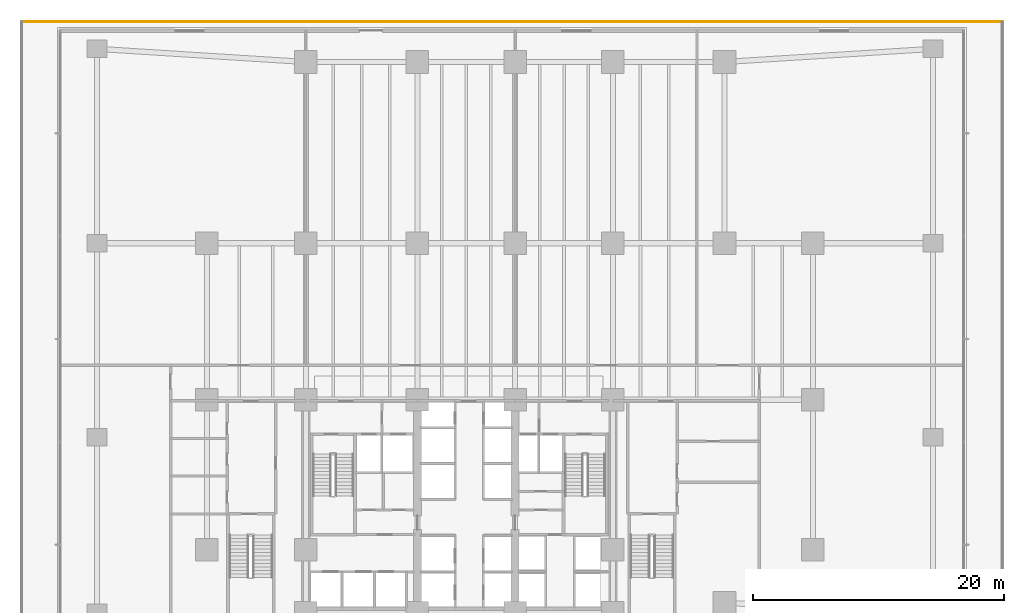
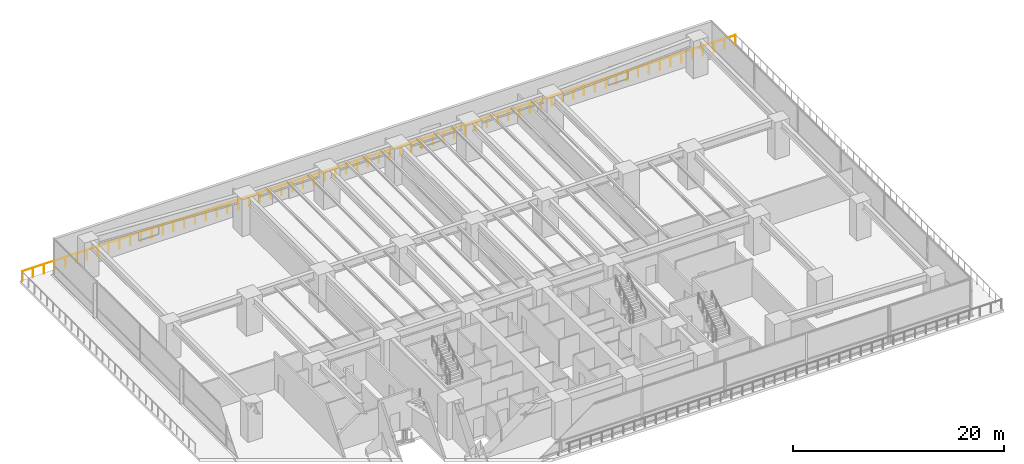
# One storey, part 25 of 28: 1 railing.
"""IFC4 building model written with IfcOpenShell, lengths in metres."""

from ifc_helpers import new_model, si_unit, direction, frame, origin, origin_2d, place, context, subcontext, project, spatial, circle, extrude, material, type_object, element, save


model = new_model("IFC4")

# Units and contexts
model_context = context("Model", 3, precision=1e-05, world=origin(), true_north=direction((0.0, 1.0)))
body_context = subcontext(model_context, "Body", "Model", "MODEL_VIEW")
ifc_project = project(units=[si_unit("LENGTHUNIT", "METRE"), si_unit("AREAUNIT", "SQUARE_METRE"), si_unit("VOLUMEUNIT", "CUBIC_METRE"), si_unit("PLANEANGLEUNIT", "RADIAN"), si_unit("MASSUNIT", "GRAM", prefix="KILO")], contexts=[model_context])

# Site, building, storey
site_placement = place(None, origin())
site = spatial("IfcSite", under=ifc_project, at=site_placement, CompositionType="ELEMENT")
building_placement = place(site_placement, origin())
building = spatial("IfcBuilding", under=site, at=building_placement, Name="Qalmaran Belvedere Hotel", CompositionType="ELEMENT")
storey_placement = place(building_placement, frame((0.0, 0.0, 10.0)))
storey = spatial("IfcBuildingStorey", under=building, at=storey_placement, Name="L02", CompositionType="ELEMENT", Elevation=10.0)

# Railing
ifc_material = material(Name="Anodised Bronze Aluminium", Category="aluminium")
railing_type = type_object("IfcRailingType", Name="GRD-TERR-1150", PredefinedType="BALUSTRADE", material=ifc_material)
railing_placement = place(storey_placement, frame((75.824951171875, 50.659912109375, 0.0)))
element("IfcRailing", 1, at=railing_placement, inside=storey, type_object=railing_type, Name="L02 Guardrail L02-TERR-3", PredefinedType="BALUSTRADE", context=body_context, shape_type="SweptSolid", body=[
    extrude(circle(Radius=0.02392578125, at=origin_2d()), frame((0.0, 0.0, 1.1259765625), z_axis=(-1.0, 0.0, 0.0), x_axis=(0.0, -1.0, 0.0)), (0.0, 0.0, 1.0), 78.14990234375),
    extrude(circle(Radius=0.02099609375, at=origin_2d()), origin(), (0.0, 0.0, 1.0), 1.101806640625),
    extrude(circle(Radius=0.02099609375, at=origin_2d()), frame((-1.18408203125, 0.0, 0.0)), (0.0, 0.0, 1.0), 1.101806640625),
    extrude(circle(Radius=0.02099609375, at=origin_2d()), frame((-2.3681640625, 0.0, 0.0)), (0.0, 0.0, 1.0), 1.101806640625),
    extrude(circle(Radius=0.02099609375, at=origin_2d()), frame((-3.55224609375, 0.0, 0.0)), (0.0, 0.0, 1.0), 1.101806640625),
    extrude(circle(Radius=0.02099609375, at=origin_2d()), frame((-4.736328125, 0.0, 0.0)), (0.0, 0.0, 1.0), 1.101806640625),
    extrude(circle(Radius=0.02099609375, at=origin_2d()), frame((-5.92041015625, 0.0, 0.0)), (0.0, 0.0, 1.0), 1.101806640625),
    extrude(circle(Radius=0.02099609375, at=origin_2d()), frame((-7.1044921875, 0.0, 0.0)), (0.0, 0.0, 1.0), 1.101806640625),
    extrude(circle(Radius=0.02099609375, at=origin_2d()), frame((-8.28857421875, 0.0, 0.0)), (0.0, 0.0, 1.0), 1.101806640625),
    extrude(circle(Radius=0.02099609375, at=origin_2d()), frame((-9.47265625, 0.0, 0.0)), (0.0, 0.0, 1.0), 1.101806640625),
    extrude(circle(Radius=0.02099609375, at=origin_2d()), frame((-10.65673828125, 0.0, 0.0)), (0.0, 0.0, 1.0), 1.101806640625),
    extrude(circle(Radius=0.02099609375, at=origin_2d()), frame((-11.8408203125, 0.0, 0.0)), (0.0, 0.0, 1.0), 1.101806640625),
    extrude(circle(Radius=0.02099609375, at=origin_2d()), frame((-13.02490234375, 0.0, 0.0)), (0.0, 0.0, 1.0), 1.101806640625),
    extrude(circle(Radius=0.02099609375, at=origin_2d()), frame((-14.208984375, 0.0, 0.0)), (0.0, 0.0, 1.0), 1.101806640625),
    extrude(circle(Radius=0.02099609375, at=origin_2d()), frame((-15.39306640625, 0.0, 0.0)), (0.0, 0.0, 1.0), 1.101806640625),
    extrude(circle(Radius=0.02099609375, at=origin_2d()), frame((-16.5771484375, 0.0, 0.0)), (0.0, 0.0, 1.0), 1.101806640625),
    extrude(circle(Radius=0.02099609375, at=origin_2d()), frame((-17.76123046875, 0.0, 0.0)), (0.0, 0.0, 1.0), 1.101806640625),
    extrude(circle(Radius=0.02099609375, at=origin_2d()), frame((-18.9453125, 0.0, 0.0)), (0.0, 0.0, 1.0), 1.101806640625),
    extrude(circle(Radius=0.02099609375, at=origin_2d()), frame((-20.129638671875, 0.0, 0.0)), (0.0, 0.0, 1.0), 1.101806640625),
    extrude(circle(Radius=0.02099609375, at=origin_2d()), frame((-21.313720703125, 0.0, 0.0)), (0.0, 0.0, 1.0), 1.101806640625),
    extrude(circle(Radius=0.02099609375, at=origin_2d()), frame((-22.497802734375, 0.0, 0.0)), (0.0, 0.0, 1.0), 1.101806640625),
    extrude(circle(Radius=0.02099609375, at=origin_2d()), frame((-23.681884765625, 0.0, 0.0)), (0.0, 0.0, 1.0), 1.101806640625),
    extrude(circle(Radius=0.02099609375, at=origin_2d()), frame((-24.865966796875, 0.0, 0.0)), (0.0, 0.0, 1.0), 1.101806640625),
    extrude(circle(Radius=0.02099609375, at=origin_2d()), frame((-26.050048828125, 0.0, 0.0)), (0.0, 0.0, 1.0), 1.101806640625),
    extrude(circle(Radius=0.02099609375, at=origin_2d()), frame((-27.234130859375, 0.0, 0.0)), (0.0, 0.0, 1.0), 1.101806640625),
    extrude(circle(Radius=0.02099609375, at=origin_2d()), frame((-28.418212890625, 0.0, 0.0)), (0.0, 0.0, 1.0), 1.101806640625),
    extrude(circle(Radius=0.02099609375, at=origin_2d()), frame((-29.602294921875, 0.0, 0.0)), (0.0, 0.0, 1.0), 1.101806640625),
    extrude(circle(Radius=0.02099609375, at=origin_2d()), frame((-30.786376953125, 0.0, 0.0)), (0.0, 0.0, 1.0), 1.101806640625),
    extrude(circle(Radius=0.02099609375, at=origin_2d()), frame((-31.970458984375, 0.0, 0.0)), (0.0, 0.0, 1.0), 1.101806640625),
    extrude(circle(Radius=0.02099609375, at=origin_2d()), frame((-33.154541015625, 0.0, 0.0)), (0.0, 0.0, 1.0), 1.101806640625),
    extrude(circle(Radius=0.02099609375, at=origin_2d()), frame((-34.338623046875, 0.0, 0.0)), (0.0, 0.0, 1.0), 1.101806640625),
    extrude(circle(Radius=0.02099609375, at=origin_2d()), frame((-35.522705078125, 0.0, 0.0)), (0.0, 0.0, 1.0), 1.101806640625),
    extrude(circle(Radius=0.02099609375, at=origin_2d()), frame((-36.706787109375, 0.0, 0.0)), (0.0, 0.0, 1.0), 1.101806640625),
    extrude(circle(Radius=0.02099609375, at=origin_2d()), frame((-37.890869140625, 0.0, 0.0)), (0.0, 0.0, 1.0), 1.101806640625),
    extrude(circle(Radius=0.02099609375, at=origin_2d()), frame((-39.074951171875, 0.0, 0.0)), (0.0, 0.0, 1.0), 1.101806640625),
    extrude(circle(Radius=0.02099609375, at=origin_2d()), frame((-40.259033203125, 0.0, 0.0)), (0.0, 0.0, 1.0), 1.101806640625),
    extrude(circle(Radius=0.02099609375, at=origin_2d()), frame((-41.443115234375, 0.0, 0.0)), (0.0, 0.0, 1.0), 1.101806640625),
    extrude(circle(Radius=0.02099609375, at=origin_2d()), frame((-42.627197265625, 0.0, 0.0)), (0.0, 0.0, 1.0), 1.101806640625),
    extrude(circle(Radius=0.02099609375, at=origin_2d()), frame((-43.811279296875, 0.0, 0.0)), (0.0, 0.0, 1.0), 1.101806640625),
    extrude(circle(Radius=0.02099609375, at=origin_2d()), frame((-44.995361328125, 0.0, 0.0)), (0.0, 0.0, 1.0), 1.101806640625),
    extrude(circle(Radius=0.02099609375, at=origin_2d()), frame((-46.179443359375, 0.0, 0.0)), (0.0, 0.0, 1.0), 1.101806640625),
    extrude(circle(Radius=0.02099609375, at=origin_2d()), frame((-47.363525390625, 0.0, 0.0)), (0.0, 0.0, 1.0), 1.101806640625),
    extrude(circle(Radius=0.02099609375, at=origin_2d()), frame((-48.547607421875, 0.0, 0.0)), (0.0, 0.0, 1.0), 1.101806640625),
    extrude(circle(Radius=0.02099609375, at=origin_2d()), frame((-49.731689453125, 0.0, 0.0)), (0.0, 0.0, 1.0), 1.101806640625),
    extrude(circle(Radius=0.02099609375, at=origin_2d()), frame((-50.915771484375, 0.0, 0.0)), (0.0, 0.0, 1.0), 1.101806640625),
    extrude(circle(Radius=0.02099609375, at=origin_2d()), frame((-52.099853515625, 0.0, 0.0)), (0.0, 0.0, 1.0), 1.101806640625),
    extrude(circle(Radius=0.02099609375, at=origin_2d()), frame((-53.283935546875, 0.0, 0.0)), (0.0, 0.0, 1.0), 1.101806640625),
    extrude(circle(Radius=0.02099609375, at=origin_2d()), frame((-54.468017578125, 0.0, 0.0)), (0.0, 0.0, 1.0), 1.101806640625),
    extrude(circle(Radius=0.02099609375, at=origin_2d()), frame((-55.652099609375, 0.0, 0.0)), (0.0, 0.0, 1.0), 1.101806640625),
    extrude(circle(Radius=0.02099609375, at=origin_2d()), frame((-56.836181640625, 0.0, 0.0)), (0.0, 0.0, 1.0), 1.101806640625),
    extrude(circle(Radius=0.02099609375, at=origin_2d()), frame((-58.020263671875, 0.0, 0.0)), (0.0, 0.0, 1.0), 1.101806640625),
    extrude(circle(Radius=0.02099609375, at=origin_2d()), frame((-59.20458984375, 0.0, 0.0)), (0.0, 0.0, 1.0), 1.101806640625),
    extrude(circle(Radius=0.02099609375, at=origin_2d()), frame((-60.388671875, 0.0, 0.0)), (0.0, 0.0, 1.0), 1.101806640625),
    extrude(circle(Radius=0.02099609375, at=origin_2d()), frame((-61.57275390625, 0.0, 0.0)), (0.0, 0.0, 1.0), 1.101806640625),
    extrude(circle(Radius=0.02099609375, at=origin_2d()), frame((-62.7568359375, 0.0, 0.0)), (0.0, 0.0, 1.0), 1.101806640625),
    extrude(circle(Radius=0.02099609375, at=origin_2d()), frame((-63.94091796875, 0.0, 0.0)), (0.0, 0.0, 1.0), 1.101806640625),
    extrude(circle(Radius=0.02099609375, at=origin_2d()), frame((-65.125, 0.0, 0.0)), (0.0, 0.0, 1.0), 1.101806640625),
    extrude(circle(Radius=0.02099609375, at=origin_2d()), frame((-66.30908203125, 0.0, 0.0)), (0.0, 0.0, 1.0), 1.101806640625),
    extrude(circle(Radius=0.02099609375, at=origin_2d()), frame((-67.4931640625, 0.0, 0.0)), (0.0, 0.0, 1.0), 1.101806640625),
    extrude(circle(Radius=0.02099609375, at=origin_2d()), frame((-68.67724609375, 0.0, 0.0)), (0.0, 0.0, 1.0), 1.101806640625),
    extrude(circle(Radius=0.02099609375, at=origin_2d()), frame((-69.861328125, 0.0, 0.0)), (0.0, 0.0, 1.0), 1.101806640625),
    extrude(circle(Radius=0.02099609375, at=origin_2d()), frame((-71.04541015625, 0.0, 0.0)), (0.0, 0.0, 1.0), 1.101806640625),
    extrude(circle(Radius=0.02099609375, at=origin_2d()), frame((-72.2294921875, 0.0, 0.0)), (0.0, 0.0, 1.0), 1.101806640625),
    extrude(circle(Radius=0.02099609375, at=origin_2d()), frame((-73.41357421875, 0.0, 0.0)), (0.0, 0.0, 1.0), 1.101806640625),
    extrude(circle(Radius=0.02099609375, at=origin_2d()), frame((-74.59765625, 0.0, 0.0)), (0.0, 0.0, 1.0), 1.101806640625),
    extrude(circle(Radius=0.02099609375, at=origin_2d()), frame((-75.78173828125, 0.0, 0.0)), (0.0, 0.0, 1.0), 1.101806640625),
    extrude(circle(Radius=0.02099609375, at=origin_2d()), frame((-76.9658203125, 0.0, 0.0)), (0.0, 0.0, 1.0), 1.101806640625),
    extrude(circle(Radius=0.02099609375, at=origin_2d()), frame((-78.14990234375, 0.0, 0.0)), (0.0, 0.0, 1.0), 1.101806640625),
])

save(model, "model.ifc")
